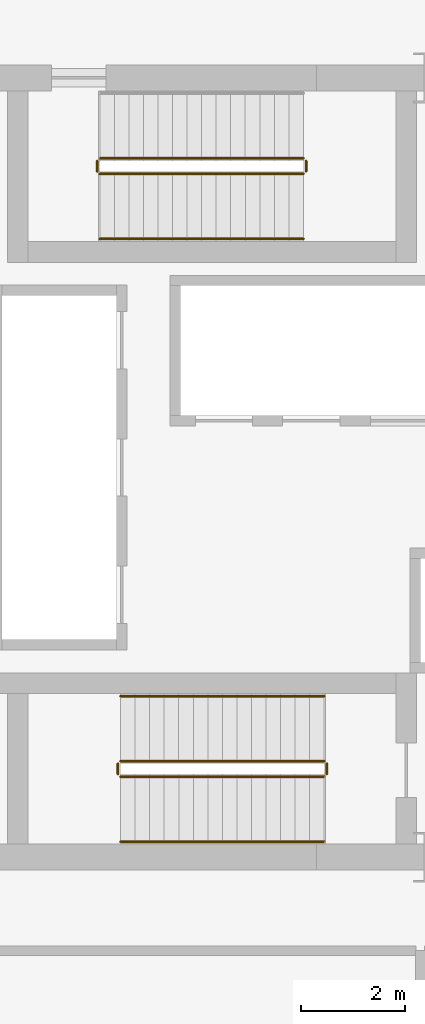
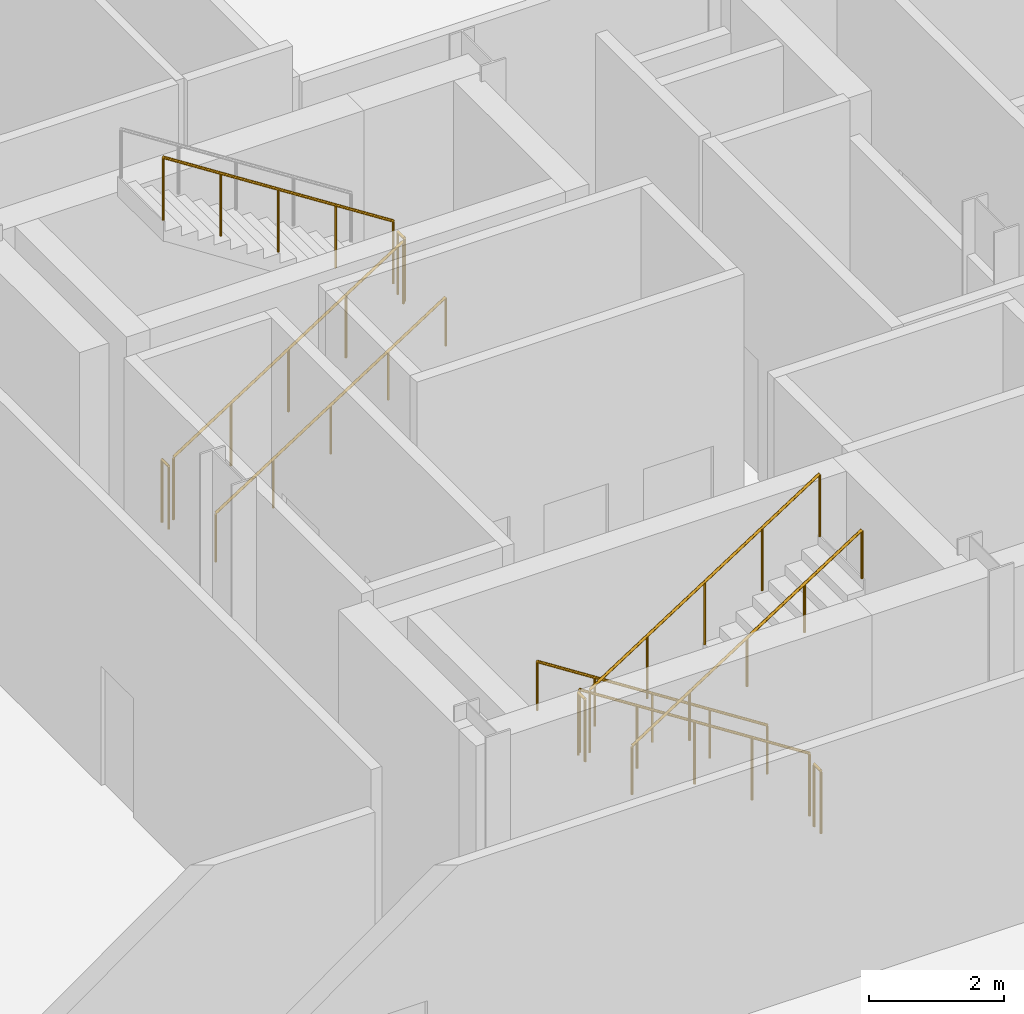
# One storey, part 31 of 36: 11 railings.
"""IFC4 building model written with IfcOpenShell, lengths in metres."""

from ifc_helpers import new_model, si_unit, direction, frame, origin, origin_2d, place, context, subcontext, project, spatial, circle, extrude, material, type_object, element, save


model = new_model("IFC4")

# Units and contexts
model_context = context("Model", 3, precision=1e-05, world=origin(), true_north=direction((0.0, 1.0)))
body_context = subcontext(model_context, "Body", "Model", "MODEL_VIEW")
ifc_project = project(units=[si_unit("LENGTHUNIT", "METRE"), si_unit("AREAUNIT", "SQUARE_METRE"), si_unit("VOLUMEUNIT", "CUBIC_METRE"), si_unit("PLANEANGLEUNIT", "RADIAN"), si_unit("MASSUNIT", "GRAM", prefix="KILO")], contexts=[model_context])

# Site, building, storey
site_placement = place(None, origin())
site = spatial("IfcSite", under=ifc_project, at=site_placement, CompositionType="ELEMENT")
building_placement = place(site_placement, origin())
building = spatial("IfcBuilding", under=site, at=building_placement, Name="Barlavira Tower and Art Museum", CompositionType="ELEMENT")
storey_placement = place(building_placement, frame((0.0, 0.0, 11.39990234375)))
storey = spatial("IfcBuildingStorey", under=building, at=storey_placement, Name="L02", CompositionType="ELEMENT", Elevation=11.39990234375)

# Railings
ifc_material = material(Name="Brushed stainless steel", Category="steel")
railing_type_1 = type_object("IfcRailingType", Name="Interior Void and Landing Guard Railing 1150", PredefinedType="GUARDRAIL", material=ifc_material)
railing_1_placement = place(storey_placement, frame((0.14990234375, -5.64990234375, 0.18017578125)))
element("IfcRailing", 1, at=railing_1_placement, inside=storey, type_object=railing_type_1, Name="L02 ST-T1 stair guard 1", PredefinedType="GUARDRAIL", context=body_context, shape_type="SweptSolid", body=[
    extrude(circle(Radius=0.02392578125, at=origin_2d()), frame((0.0, 0.0, 1.1259765625), z_axis=(-0.841171666519, 0.0, 0.540768182723), x_axis=(0.0, -1.0, 0.0)), (0.0, 0.0, 1.0), 4.66015625),
    extrude(circle(Radius=0.02099609375, at=origin_2d()), origin(), (0.0, 0.0, 1.0), 1.101806640625),
    extrude(circle(Radius=0.02099609375, at=origin_2d()), frame((-0.97998046875, 0.0, 0.6298828125)), (0.0, 0.0, 1.0), 1.101806640625),
    extrude(circle(Radius=0.02099609375, at=origin_2d()), frame((-1.9599609375, 0.0, 1.260009765625)), (0.0, 0.0, 1.0), 1.101806640625),
    extrude(circle(Radius=0.02099609375, at=origin_2d()), frame((-2.93994140625, 0.0, 1.89013671875)), (0.0, 0.0, 1.0), 1.101806640625),
    extrude(circle(Radius=0.02099609375, at=origin_2d()), frame((-3.919921875, 0.0, 2.52001953125)), (0.0, 0.0, 1.0), 1.101806640625),
])
railing_2_placement = place(storey_placement, frame((-3.820068359375, -5.699951171875, 2.7001953125)))
element("IfcRailing", 2, at=railing_2_placement, inside=storey, type_object=railing_type_1, Name="L02 ST-T1 stair guard 2", PredefinedType="GUARDRAIL", context=body_context, shape_type="SweptSolid", body=[
    extrude(circle(Radius=0.02392578125, at=origin_2d()), frame((0.0, 0.0, 1.1259765625), z_axis=(0.0, -1.0, 0.0), x_axis=(1.0, 0.0, 0.0)), (0.0, 0.0, 1.0), 0.199951171875),
    extrude(circle(Radius=0.02099609375, at=origin_2d()), origin(), (0.0, 0.0, 1.0), 1.101806640625),
    extrude(circle(Radius=0.02099609375, at=origin_2d()), frame((0.0, -0.199951171875, 0.0)), (0.0, 0.0, 1.0), 1.101806640625),
])
railing_3_placement = place(storey_placement, frame((-3.77001953125, -5.949951171875, 2.880126953125)))
element("IfcRailing", 3, at=railing_3_placement, inside=storey, type_object=railing_type_1, Name="L02 ST-T1 stair guard 3", PredefinedType="GUARDRAIL", context=body_context, shape_type="SweptSolid", body=[
    extrude(circle(Radius=0.02392578125, at=origin_2d()), frame((0.0, 0.0, 1.1259765625), z_axis=(0.841171666519, 0.0, 0.540768182723), x_axis=(0.0, 1.0, 0.0)), (0.0, 0.0, 1.0), 4.66015625),
    extrude(circle(Radius=0.02099609375, at=origin_2d()), origin(), (0.0, 0.0, 1.0), 1.101806640625),
    extrude(circle(Radius=0.02099609375, at=origin_2d()), frame((0.97998046875, 0.0, 0.6298828125)), (0.0, 0.0, 1.0), 1.101806640625),
    extrude(circle(Radius=0.02099609375, at=origin_2d()), frame((1.9599609375, 0.0, 1.260009765625)), (0.0, 0.0, 1.0), 1.101806640625),
    extrude(circle(Radius=0.02099609375, at=origin_2d()), frame((2.93994140625, 0.0, 1.89013671875)), (0.0, 0.0, 1.0), 1.101806640625),
    extrude(circle(Radius=0.02099609375, at=origin_2d()), frame((3.919921875, 0.0, 2.52001953125)), (0.0, 0.0, 1.0), 1.101806640625),
])
railing_4_placement = place(storey_placement, frame((0.199951171875, -5.699951171875, 0.0)))
element("IfcRailing", 4, at=railing_4_placement, inside=storey, type_object=railing_type_1, Name="L02 ST-T1 stair guard 4", PredefinedType="GUARDRAIL", context=body_context, shape_type="SweptSolid", body=[
    extrude(circle(Radius=0.02392578125, at=origin_2d()), frame((0.0, 0.0, 1.1259765625), z_axis=(0.0, -1.0, 0.0), x_axis=(1.0, 0.0, 0.0)), (0.0, 0.0, 1.0), 0.199951171875),
    extrude(circle(Radius=0.02099609375, at=origin_2d()), origin(), (0.0, 0.0, 1.0), 1.101806640625),
    extrude(circle(Radius=0.02099609375, at=origin_2d()), frame((0.0, -0.199951171875, 0.0)), (0.0, 0.0, 1.0), 1.101806640625),
])
railing_5_placement = place(storey_placement, frame((-4.169921875, 5.64990234375, 0.18017578125)))
element("IfcRailing", 5, at=railing_5_placement, inside=storey, type_object=railing_type_1, Name="L02 ST-T2 stair guard 1", PredefinedType="GUARDRAIL", context=body_context, shape_type="SweptSolid", body=[
    extrude(circle(Radius=0.02392578125, at=origin_2d()), frame((0.0, 0.0, 1.1259765625), z_axis=(0.841171666519, 0.0, 0.540768182723), x_axis=(0.0, 1.0, 0.0)), (0.0, 0.0, 1.0), 4.66015625),
    extrude(circle(Radius=0.02099609375, at=origin_2d()), origin(), (0.0, 0.0, 1.0), 1.101806640625),
    extrude(circle(Radius=0.02099609375, at=origin_2d()), frame((0.97998046875, 0.0, 0.6298828125)), (0.0, 0.0, 1.0), 1.101806640625),
    extrude(circle(Radius=0.02099609375, at=origin_2d()), frame((1.9599609375, 0.0, 1.260009765625)), (0.0, 0.0, 1.0), 1.101806640625),
    extrude(circle(Radius=0.02099609375, at=origin_2d()), frame((2.93994140625, 0.0, 1.89013671875)), (0.0, 0.0, 1.0), 1.101806640625),
    extrude(circle(Radius=0.02099609375, at=origin_2d()), frame((3.919921875, 0.0, 2.52001953125)), (0.0, 0.0, 1.0), 1.101806640625),
])
railing_6_placement = place(storey_placement, frame((-0.199951171875, 5.699951171875, 2.7001953125)))
element("IfcRailing", 6, at=railing_6_placement, inside=storey, type_object=railing_type_1, Name="L02 ST-T2 stair guard 2", PredefinedType="GUARDRAIL", context=body_context, shape_type="SweptSolid", body=[
    extrude(circle(Radius=0.02392578125, at=origin_2d()), frame((0.0, 0.0, 1.1259765625), z_axis=(0.0, 1.0, 0.0), x_axis=(-1.0, 0.0, 0.0)), (0.0, 0.0, 1.0), 0.199951171875),
    extrude(circle(Radius=0.02099609375, at=origin_2d()), origin(), (0.0, 0.0, 1.0), 1.101806640625),
    extrude(circle(Radius=0.02099609375, at=origin_2d()), frame((0.0, 0.199951171875, 0.0)), (0.0, 0.0, 1.0), 1.101806640625),
])
railing_7_placement = place(storey_placement, frame((-0.25, 5.949951171875, 2.880126953125)))
element("IfcRailing", 7, at=railing_7_placement, inside=storey, type_object=railing_type_1, Name="L02 ST-T2 stair guard 3", PredefinedType="GUARDRAIL", context=body_context, shape_type="SweptSolid", body=[
    extrude(circle(Radius=0.02392578125, at=origin_2d()), frame((0.0, 0.0, 1.1259765625), z_axis=(-0.841171666519, 0.0, 0.540768182723), x_axis=(0.0, -1.0, 0.0)), (0.0, 0.0, 1.0), 4.66015625),
    extrude(circle(Radius=0.02099609375, at=origin_2d()), origin(), (0.0, 0.0, 1.0), 1.101806640625),
    extrude(circle(Radius=0.02099609375, at=origin_2d()), frame((-0.97998046875, 0.0, 0.6298828125)), (0.0, 0.0, 1.0), 1.101806640625),
    extrude(circle(Radius=0.02099609375, at=origin_2d()), frame((-1.9599609375, 0.0, 1.260009765625)), (0.0, 0.0, 1.0), 1.101806640625),
    extrude(circle(Radius=0.02099609375, at=origin_2d()), frame((-2.93994140625, 0.0, 1.89013671875)), (0.0, 0.0, 1.0), 1.101806640625),
    extrude(circle(Radius=0.02099609375, at=origin_2d()), frame((-3.919921875, 0.0, 2.52001953125)), (0.0, 0.0, 1.0), 1.101806640625),
])
railing_8_placement = place(storey_placement, frame((-4.219970703125, 5.699951171875, 0.0)))
element("IfcRailing", 8, at=railing_8_placement, inside=storey, type_object=railing_type_1, Name="L02 ST-T2 stair guard 4", PredefinedType="GUARDRAIL", context=body_context, shape_type="SweptSolid", body=[
    extrude(circle(Radius=0.02392578125, at=origin_2d()), frame((0.0, 0.0, 1.1259765625), z_axis=(0.0, 1.0, 0.0), x_axis=(-1.0, 0.0, 0.0)), (0.0, 0.0, 1.0), 0.199951171875),
    extrude(circle(Radius=0.02099609375, at=origin_2d()), origin(), (0.0, 0.0, 1.0), 1.101806640625),
    extrude(circle(Radius=0.02099609375, at=origin_2d()), frame((0.0, 0.199951171875, 0.0)), (0.0, 0.0, 1.0), 1.101806640625),
])
railing_type_2 = type_object("IfcRailingType", Name="Stair Pitch Tubular Steel Handrail 920", PredefinedType="HANDRAIL", material=ifc_material)
railing_9_placement = place(storey_placement, frame((0.14990234375, -4.39990234375, 0.18017578125)))
element("IfcRailing", 9, at=railing_9_placement, inside=storey, type_object=railing_type_2, Name="L02 ST-T1 stair handrail 1", PredefinedType="HANDRAIL", context=body_context, shape_type="SweptSolid", body=[
    extrude(circle(Radius=0.02392578125, at=origin_2d()), frame((0.0, 0.0, 0.8759765625), z_axis=(-0.841171666519, 0.0, 0.540768182723), x_axis=(0.0, -1.0, 0.0)), (0.0, 0.0, 1.0), 4.66015625),
    extrude(circle(Radius=0.02099609375, at=origin_2d()), origin(), (0.0, 0.0, 1.0), 0.851806640625),
    extrude(circle(Radius=0.02099609375, at=origin_2d()), frame((-0.97998046875, 0.0, 0.6298828125)), (0.0, 0.0, 1.0), 0.851806640625),
    extrude(circle(Radius=0.02099609375, at=origin_2d()), frame((-1.9599609375, 0.0, 1.260009765625)), (0.0, 0.0, 1.0), 0.851806640625),
    extrude(circle(Radius=0.02099609375, at=origin_2d()), frame((-2.93994140625, 0.0, 1.89013671875)), (0.0, 0.0, 1.0), 0.851806640625),
    extrude(circle(Radius=0.02099609375, at=origin_2d()), frame((-3.919921875, 0.0, 2.52001953125)), (0.0, 0.0, 1.0), 0.851806640625),
])
for number, where, name in (
    (10, (-3.77001953125, -7.199951171875, 2.880126953125), "L02 ST-T1 stair handrail 2"),
    (11, (-4.169921875, 4.39990234375, 0.18017578125), "L02 ST-T2 stair handrail 1"),
):
    element("IfcRailing", number, at=place(storey_placement, frame(where)), inside=storey, type_object=railing_type_2, Name=name, PredefinedType="HANDRAIL", context=body_context, shape_type="SweptSolid", body=[
        extrude(circle(Radius=0.02392578125, at=origin_2d()), frame((0.0, 0.0, 0.8759765625), z_axis=(0.841171666519, 0.0, 0.540768182723), x_axis=(0.0, 1.0, 0.0)), (0.0, 0.0, 1.0), 4.66015625),
        extrude(circle(Radius=0.02099609375, at=origin_2d()), origin(), (0.0, 0.0, 1.0), 0.851806640625),
        extrude(circle(Radius=0.02099609375, at=origin_2d()), frame((0.97998046875, 0.0, 0.6298828125)), (0.0, 0.0, 1.0), 0.851806640625),
        extrude(circle(Radius=0.02099609375, at=origin_2d()), frame((1.9599609375, 0.0, 1.260009765625)), (0.0, 0.0, 1.0), 0.851806640625),
        extrude(circle(Radius=0.02099609375, at=origin_2d()), frame((2.93994140625, 0.0, 1.89013671875)), (0.0, 0.0, 1.0), 0.851806640625),
        extrude(circle(Radius=0.02099609375, at=origin_2d()), frame((3.919921875, 0.0, 2.52001953125)), (0.0, 0.0, 1.0), 0.851806640625),
    ])

save(model, "model.ifc")
